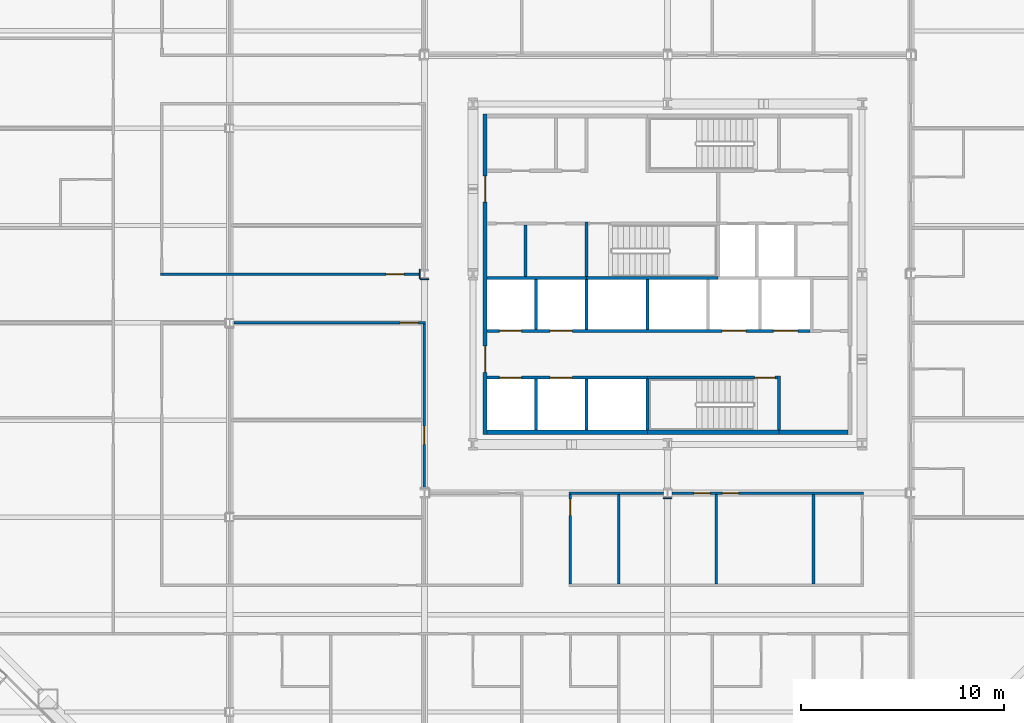
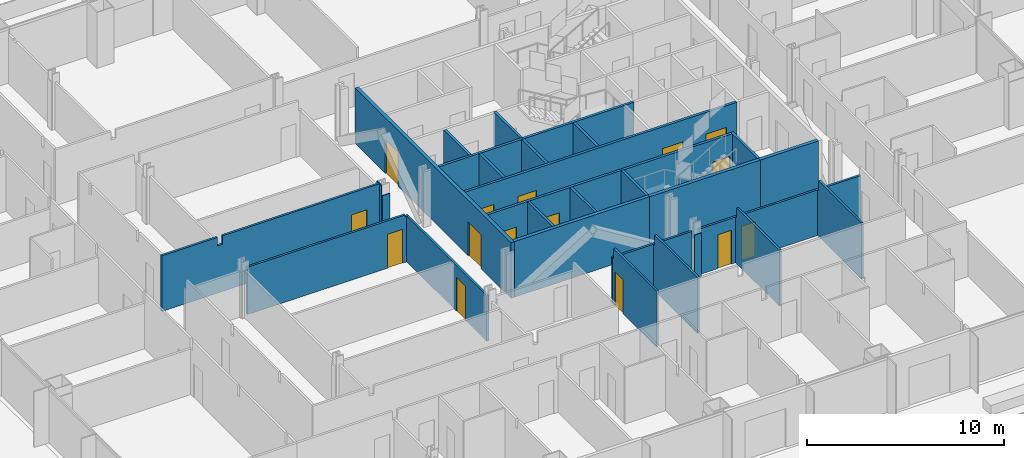
# One storey, part 11 of 18: 30 walls, 15 doors, 15 openings.
"""IFC4 building model written with IfcOpenShell, lengths in metres."""

from ifc_helpers import new_model, si_unit, direction, frame, frame_2d, origin, place, context, subcontext, project, spatial, polyline, rectangle, outline, extrude, material, layer, layer_set, type_object, element, fill, save


model = new_model("IFC4")

# Units and contexts
model_context = context("Model", 3, precision=1e-05, world=origin(), true_north=direction((0.0, 1.0)))
body_context = subcontext(model_context, "Body", "Model", "MODEL_VIEW")
ifc_project = project(units=[si_unit("LENGTHUNIT", "METRE"), si_unit("AREAUNIT", "SQUARE_METRE"), si_unit("VOLUMEUNIT", "CUBIC_METRE"), si_unit("PLANEANGLEUNIT", "RADIAN"), si_unit("MASSUNIT", "GRAM", prefix="KILO")], contexts=[model_context])

# Site, building, storey
site_placement = place(None, origin())
site = spatial("IfcSite", under=ifc_project, at=site_placement, CompositionType="ELEMENT")
building_placement = place(site_placement, origin())
building = spatial("IfcBuilding", under=site, at=building_placement, Name="Cairn Pilgrim Tower", CompositionType="ELEMENT")
storey_placement = place(building_placement, frame((0.0, 0.0, 40.199951171875)))
storey = spatial("IfcBuildingStorey", under=building, at=storey_placement, Name="L07", CompositionType="ELEMENT", Elevation=40.199951171875)

# Walls
ifc_material_1 = material(Name="Concrete C32/40", Category="concrete")
ifc_layer_1 = layer(ifc_material_1, 0.199951171875)
ifc_layer_set_1 = layer_set([ifc_layer_1], Name="CORE OUTER WALL 200 EI 120")
wall_type_1 = type_object("IfcWallType", Name="CORE OUTER WALL 200 EI 120", PredefinedType="SOLIDWALL", material=ifc_layer_set_1)
wall_1_placement = place(storey_placement, frame((-1.699951171875, -5.39990234375, 0.0), z_axis=(0.0, 0.0, 1.0), x_axis=(1.0, 0.0, 0.0)))
element("IfcWall", 1, at=wall_1_placement, inside=storey, type_object=wall_type_1, Name="CW:L07:H01-1", PredefinedType="SOLIDWALL", context=body_context, shape_type="SweptSolid", body=[
    extrude(rectangle(XDim=7.89990234375, YDim=0.199951171875, at=frame_2d((3.949951171875, 0.0))), origin(), (0.0, 0.0, 1.0), 3.449951171875),
])
wall_2_placement = place(storey_placement, frame((12.699951171875, -5.39990234375, 0.0), z_axis=(0.0, 0.0, 1.0), x_axis=(1.0, 0.0, 0.0)))
element("IfcWall", 2, at=wall_2_placement, inside=storey, type_object=wall_type_1, Name="CW:L07:H01-3", PredefinedType="SOLIDWALL", context=body_context, shape_type="SweptSolid", body=[
    extrude(rectangle(XDim=3.400146484375, YDim=0.199951171875, at=frame_2d((1.7001953125, 0.0))), origin(), (0.0, 0.0, 1.0), 3.449951171875),
])

# Wall, openings, doors
wall_3_placement = place(storey_placement, frame((-1.800048828125, -5.5, 0.0), z_axis=(0.0, 0.0, 1.0), x_axis=(0.0, 1.0, 0.0)))
wall_3 = element("IfcWall", 3, at=wall_3_placement, inside=storey, type_object=wall_type_1, Name="CW:L07:V12", PredefinedType="SOLIDWALL", context=body_context, shape_type="SweptSolid", body=[
    extrude(rectangle(XDim=15.800048828125, YDim=0.199951171875, at=frame_2d((7.89990234375, 0.0))), origin(), (0.0, 0.0, 1.0), 3.449951171875),
])
opening_1_placement = place(wall_3_placement, frame((3.050048828125, 0.0, 0.0)))
opening_1 = element("IfcOpeningElement", 4, at=opening_1_placement, cuts=wall_3, Name="Opening CD-W1", PredefinedType="OPENING", context=body_context, shape_type="SweptSolid", body=[
    extrude(rectangle(XDim=1.300048828125, YDim=2.10009765625, at=frame_2d((0.64990234375, 1.050048828125))), frame((0.0, 0.10986328125, 0.0), z_axis=(0.0, -1.0, 0.0), x_axis=(1.0, 0.0, 0.0)), (0.0, 0.0, 1.0), 0.219970703125),
])
opening_2_placement = place(wall_3_placement, frame((11.449951171875, 0.0, 0.0)))
opening_2 = element("IfcOpeningElement", 5, at=opening_2_placement, cuts=wall_3, Name="Opening CD-W2", PredefinedType="OPENING", context=body_context, shape_type="SweptSolid", body=[
    extrude(rectangle(XDim=1.300048828125, YDim=2.10009765625, at=frame_2d((0.64990234375, 1.050048828125))), frame((0.0, 0.10986328125, 0.0), z_axis=(0.0, -1.0, 0.0), x_axis=(1.0, 0.0, 0.0)), (0.0, 0.0, 1.0), 0.219970703125),
])
ifc_material_2 = material(Name="Painted steel", Category="steel")
door_type_1 = type_object("IfcDoorType", Name="CORE LOBBY DOOR 1300x2100", OperationType="DOUBLE_DOOR_SINGLE_SWING", PredefinedType="DOOR", material=ifc_material_2)
door_1_placement = place(opening_1_placement, origin())
door_1 = element("IfcDoor", 6, at=door_1_placement, inside=storey, type_object=door_type_1, Name="CD-W1", OperationType="DOUBLE_DOOR_SINGLE_SWING", OverallHeight=2.10009765625, OverallWidth=1.300048828125, PredefinedType="DOOR", context=body_context, shape_type="SweptSolid", body=[
    extrude(rectangle(XDim=1.300048828125, YDim=2.10009765625, at=frame_2d((0.64990234375, 1.050048828125))), frame((0.0, 0.02490234375, 0.0), z_axis=(0.0, -1.0, 0.0), x_axis=(1.0, 0.0, 0.0)), (0.0, 0.0, 1.0), 0.050048828125),
])
fill(opening_1, door_1)
door_2_placement = place(opening_2_placement, origin())
door_2 = element("IfcDoor", 7, at=door_2_placement, inside=storey, type_object=door_type_1, Name="CD-W2", OperationType="DOUBLE_DOOR_SINGLE_SWING", OverallHeight=2.10009765625, OverallWidth=1.300048828125, PredefinedType="DOOR", context=body_context, shape_type="SweptSolid", body=[
    extrude(rectangle(XDim=1.300048828125, YDim=2.10009765625, at=frame_2d((0.64990234375, 1.050048828125))), frame((0.0, 0.02490234375, 0.0), z_axis=(0.0, -1.0, 0.0), x_axis=(1.0, 0.0, 0.0)), (0.0, 0.0, 1.0), 0.050048828125),
])
fill(opening_2, door_2)

# Wall
ifc_layer_2 = layer(ifc_material_1, 0.14990234375)
ifc_layer_set_2 = layer_set([ifc_layer_2], Name="CORE PARTITION 150 EI 60")
wall_type_2 = type_object("IfcWallType", Name="CORE PARTITION 150 EI 60", PredefinedType="PARTITIONING", material=ifc_layer_set_2)
wall_4_placement = place(storey_placement, frame((0.199951171875, 2.27490234375, 0.0), z_axis=(0.0, 0.0, 1.0), x_axis=(0.0, 1.0, 0.0)))
element("IfcWall", 8, at=wall_4_placement, inside=storey, type_object=wall_type_2, Name="CW:L07:V13", PredefinedType="PARTITIONING", context=body_context, shape_type="SweptSolid", body=[
    extrude(rectangle(XDim=2.550048828125, YDim=0.14990234375, at=frame_2d((1.27490234375, 0.0))), origin(), (0.0, 0.0, 1.0), 3.449951171875),
])

# Wall, openings, doors
ifc_layer_3 = layer(ifc_material_1, 0.14990234375)
ifc_layer_set_3 = layer_set([ifc_layer_3], Name="CORE SHAFT WALL 150 EI 120")
wall_type_3 = type_object("IfcWallType", Name="CORE SHAFT WALL 150 EI 120", PredefinedType="SOLIDWALL", material=ifc_layer_set_3)
wall_5_placement = place(storey_placement, frame((-1.699951171875, -2.699951171875, 0.0), z_axis=(0.0, 0.0, 1.0), x_axis=(1.0, 0.0, 0.0)))
wall_5 = element("IfcWall", 9, at=wall_5_placement, inside=storey, type_object=wall_type_3, Name="CW:L07:H02-1", PredefinedType="SOLIDWALL", context=body_context, shape_type="SweptSolid", body=[
    extrude(rectangle(XDim=7.89990234375, YDim=0.14990234375, at=frame_2d((3.949951171875, 0.0))), origin(), (0.0, 0.0, 1.0), 3.449951171875),
])
opening_3_placement = place(wall_5_placement, frame((0.60009765625, 0.0, 0.0)))
opening_3 = element("IfcOpeningElement", 10, at=opening_3_placement, cuts=wall_5, Name="Opening LD-LR1", PredefinedType="OPENING", context=body_context, shape_type="SweptSolid", body=[
    extrude(rectangle(XDim=1.10009765625, YDim=2.10009765625, at=frame_2d((0.550048828125, 1.050048828125))), frame((0.0, 0.0849609375, 0.0), z_axis=(0.0, -1.0, 0.0), x_axis=(1.0, 0.0, 0.0)), (0.0, 0.0, 1.0), 0.169921875),
])
opening_4_placement = place(wall_5_placement, frame((3.10009765625, 0.0, 0.0)))
opening_4 = element("IfcOpeningElement", 11, at=opening_4_placement, cuts=wall_5, Name="Opening LD-LR2", PredefinedType="OPENING", context=body_context, shape_type="SweptSolid", body=[
    extrude(rectangle(XDim=1.10009765625, YDim=2.10009765625, at=frame_2d((0.550048828125, 1.050048828125))), frame((0.0, 0.0849609375, 0.0), z_axis=(0.0, -1.0, 0.0), x_axis=(1.0, 0.0, 0.0)), (0.0, 0.0, 1.0), 0.169921875),
])
ifc_material_3 = material(Name="Stainless steel", Category="steel")
door_type_2 = type_object("IfcDoorType", Name="LIFT LANDING DOOR 1100x2100", OperationType="DOUBLE_DOOR_SLIDING", PredefinedType="DOOR", material=ifc_material_3)
door_3_placement = place(opening_3_placement, origin())
door_3 = element("IfcDoor", 12, at=door_3_placement, inside=storey, type_object=door_type_2, Name="LANDING DOOR LR1", OperationType="DOUBLE_DOOR_SLIDING", OverallHeight=2.10009765625, OverallWidth=1.10009765625, PredefinedType="DOOR", context=body_context, shape_type="SweptSolid", body=[
    extrude(rectangle(XDim=1.10009765625, YDim=2.10009765625, at=frame_2d((0.550048828125, 1.050048828125))), frame((0.0, 0.02490234375, 0.0), z_axis=(0.0, -1.0, 0.0), x_axis=(1.0, 0.0, 0.0)), (0.0, 0.0, 1.0), 0.050048828125),
])
fill(opening_3, door_3)
door_4_placement = place(opening_4_placement, origin())
door_4 = element("IfcDoor", 13, at=door_4_placement, inside=storey, type_object=door_type_2, Name="LANDING DOOR LR2", OperationType="DOUBLE_DOOR_SLIDING", OverallHeight=2.10009765625, OverallWidth=1.10009765625, PredefinedType="DOOR", context=body_context, shape_type="SweptSolid", body=[
    extrude(rectangle(XDim=1.10009765625, YDim=2.10009765625, at=frame_2d((0.550048828125, 1.050048828125))), frame((0.0, 0.02490234375, 0.0), z_axis=(0.0, -1.0, 0.0), x_axis=(1.0, 0.0, 0.0)), (0.0, 0.0, 1.0), 0.050048828125),
])
fill(opening_4, door_4)

wall_6_placement = place(storey_placement, frame((-1.699951171875, -0.39990234375, 0.0), z_axis=(0.0, 0.0, 1.0), x_axis=(1.0, 0.0, 0.0)))
wall_6 = element("IfcWall", 14, at=wall_6_placement, inside=storey, type_object=wall_type_3, Name="CW:L07:H03", PredefinedType="SOLIDWALL", context=body_context, shape_type="SweptSolid", body=[
    extrude(rectangle(XDim=15.925048828125, YDim=0.14990234375, at=frame_2d((7.96240234375, 0.0))), origin(), (0.0, 0.0, 1.0), 3.449951171875),
])
opening_5_placement = place(wall_6_placement, frame((0.60009765625, 0.0, 0.0)))
opening_5 = element("IfcOpeningElement", 15, at=opening_5_placement, cuts=wall_6, Name="Opening LD-LR3", PredefinedType="OPENING", context=body_context, shape_type="SweptSolid", body=[
    extrude(rectangle(XDim=1.10009765625, YDim=2.10009765625, at=frame_2d((0.550048828125, 1.050048828125))), frame((0.0, 0.0849609375, 0.0), z_axis=(0.0, -1.0, 0.0), x_axis=(1.0, 0.0, 0.0)), (0.0, 0.0, 1.0), 0.169921875),
])
opening_6_placement = place(wall_6_placement, frame((3.10009765625, 0.0, 0.0)))
opening_6 = element("IfcOpeningElement", 16, at=opening_6_placement, cuts=wall_6, Name="Opening LD-LR4", PredefinedType="OPENING", context=body_context, shape_type="SweptSolid", body=[
    extrude(rectangle(XDim=1.10009765625, YDim=2.10009765625, at=frame_2d((0.550048828125, 1.050048828125))), frame((0.0, 0.0849609375, 0.0), z_axis=(0.0, -1.0, 0.0), x_axis=(1.0, 0.0, 0.0)), (0.0, 0.0, 1.0), 0.169921875),
])
opening_7_placement = place(wall_6_placement, frame((11.574951171875, 0.0, 0.0)))
opening_7 = element("IfcOpeningElement", 17, at=opening_7_placement, cuts=wall_6, Name="Opening LD-SV1", PredefinedType="OPENING", context=body_context, shape_type="SweptSolid", body=[
    extrude(rectangle(XDim=1.199951171875, YDim=2.10009765625, at=frame_2d((0.60009765625, 1.050048828125))), frame((0.0, 0.0849609375, 0.0), z_axis=(0.0, -1.0, 0.0), x_axis=(1.0, 0.0, 0.0)), (0.0, 0.0, 1.0), 0.169921875),
])
opening_8_placement = place(wall_6_placement, frame((14.125, 0.0, 0.0)))
opening_8 = element("IfcOpeningElement", 18, at=opening_8_placement, cuts=wall_6, Name="Opening LD-SV2", PredefinedType="OPENING", context=body_context, shape_type="SweptSolid", body=[
    extrude(rectangle(XDim=1.199951171875, YDim=2.10009765625, at=frame_2d((0.60009765625, 1.050048828125))), frame((0.0, 0.0849609375, 0.0), z_axis=(0.0, -1.0, 0.0), x_axis=(1.0, 0.0, 0.0)), (0.0, 0.0, 1.0), 0.169921875),
])
door_5_placement = place(opening_5_placement, origin())
door_5 = element("IfcDoor", 19, at=door_5_placement, inside=storey, type_object=door_type_2, Name="LANDING DOOR LR3", OperationType="DOUBLE_DOOR_SLIDING", OverallHeight=2.10009765625, OverallWidth=1.10009765625, PredefinedType="DOOR", context=body_context, shape_type="SweptSolid", body=[
    extrude(rectangle(XDim=1.10009765625, YDim=2.10009765625, at=frame_2d((0.550048828125, 1.050048828125))), frame((0.0, 0.02490234375, 0.0), z_axis=(0.0, -1.0, 0.0), x_axis=(1.0, 0.0, 0.0)), (0.0, 0.0, 1.0), 0.050048828125),
])
fill(opening_5, door_5)
door_6_placement = place(opening_6_placement, origin())
door_6 = element("IfcDoor", 20, at=door_6_placement, inside=storey, type_object=door_type_2, Name="LANDING DOOR LR4", OperationType="DOUBLE_DOOR_SLIDING", OverallHeight=2.10009765625, OverallWidth=1.10009765625, PredefinedType="DOOR", context=body_context, shape_type="SweptSolid", body=[
    extrude(rectangle(XDim=1.10009765625, YDim=2.10009765625, at=frame_2d((0.550048828125, 1.050048828125))), frame((0.0, 0.02490234375, 0.0), z_axis=(0.0, -1.0, 0.0), x_axis=(1.0, 0.0, 0.0)), (0.0, 0.0, 1.0), 0.050048828125),
])
fill(opening_6, door_6)
door_type_3 = type_object("IfcDoorType", Name="LIFT LANDING DOOR 1200x2100", OperationType="DOUBLE_DOOR_SLIDING", PredefinedType="DOOR", material=ifc_material_3)
door_7_placement = place(opening_7_placement, origin())
door_7 = element("IfcDoor", 21, at=door_7_placement, inside=storey, type_object=door_type_3, Name="LANDING DOOR SV1", OperationType="DOUBLE_DOOR_SLIDING", OverallHeight=2.10009765625, OverallWidth=1.199951171875, PredefinedType="DOOR", context=body_context, shape_type="SweptSolid", body=[
    extrude(rectangle(XDim=1.199951171875, YDim=2.10009765625, at=frame_2d((0.60009765625, 1.050048828125))), frame((0.0, 0.02490234375, 0.0), z_axis=(0.0, -1.0, 0.0), x_axis=(1.0, 0.0, 0.0)), (0.0, 0.0, 1.0), 0.050048828125),
])
fill(opening_7, door_7)
door_8_placement = place(opening_8_placement, origin())
door_8 = element("IfcDoor", 22, at=door_8_placement, inside=storey, type_object=door_type_3, Name="LANDING DOOR SV2", OperationType="DOUBLE_DOOR_SLIDING", OverallHeight=2.10009765625, OverallWidth=1.199951171875, PredefinedType="DOOR", context=body_context, shape_type="SweptSolid", body=[
    extrude(rectangle(XDim=1.199951171875, YDim=2.10009765625, at=frame_2d((0.60009765625, 1.050048828125))), frame((0.0, 0.02490234375, 0.0), z_axis=(0.0, -1.0, 0.0), x_axis=(1.0, 0.0, 0.0)), (0.0, 0.0, 1.0), 0.050048828125),
])
fill(opening_8, door_8)

# Walls
wall_7_placement = place(storey_placement, frame((-1.699951171875, 2.199951171875, 0.0), z_axis=(0.0, 0.0, 1.0), x_axis=(1.0, 0.0, 0.0)))
element("IfcWall", 23, at=wall_7_placement, inside=storey, type_object=wall_type_3, Name="CW:L07:H05-1", PredefinedType="SOLIDWALL", context=body_context, shape_type="SweptSolid", body=[
    extrude(rectangle(XDim=4.89990234375, YDim=0.14990234375, at=frame_2d((2.449951171875, 0.0))), origin(), (0.0, 0.0, 1.0), 3.449951171875),
])
wall_8_placement = place(storey_placement, frame((0.699951171875, -5.300048828125, 0.0), z_axis=(0.0, 0.0, 1.0), x_axis=(0.0, 1.0, 0.0)))
element("IfcWall", 24, at=wall_8_placement, inside=storey, type_object=wall_type_3, Name="CW:L07:V14", PredefinedType="SOLIDWALL", context=body_context, shape_type="SweptSolid", body=[
    extrude(rectangle(XDim=2.525146484375, YDim=0.14990234375, at=frame_2d((1.2626953125, 0.0))), origin(), (0.0, 0.0, 1.0), 3.449951171875),
])
wall_9_placement = place(storey_placement, frame((0.699951171875, -0.324951171875, 0.0), z_axis=(0.0, 0.0, 1.0), x_axis=(0.0, 1.0, 0.0)))
element("IfcWall", 25, at=wall_9_placement, inside=storey, type_object=wall_type_3, Name="CW:L07:V15", PredefinedType="SOLIDWALL", context=body_context, shape_type="SweptSolid", body=[
    extrude(rectangle(XDim=2.449951171875, YDim=0.14990234375, at=frame_2d((1.22509765625, 0.0))), origin(), (0.0, 0.0, 1.0), 3.449951171875),
])
wall_10_placement = place(storey_placement, frame((3.199951171875, -5.300048828125, 0.0), z_axis=(0.0, 0.0, 1.0), x_axis=(0.0, 1.0, 0.0)))
element("IfcWall", 26, at=wall_10_placement, inside=storey, type_object=wall_type_3, Name="CW:L07:V17", PredefinedType="SOLIDWALL", context=body_context, shape_type="SweptSolid", body=[
    extrude(rectangle(XDim=2.525146484375, YDim=0.14990234375, at=frame_2d((1.2626953125, 0.0))), origin(), (0.0, 0.0, 1.0), 3.449951171875),
])
for number, where, z_axis, x_axis, name in (
    (27, (3.199951171875, -0.324951171875, 0.0), (0.0, 0.0, 1.0), (0.0, 1.0, 0.0), "CW:L07:V18"),
    (28, (6.199951171875, -0.324951171875, 0.0), (0.0, 0.0, 1.0), (0.0, 1.0, 0.0), "CW:L07:V22"),
):
    element("IfcWall", number, at=place(storey_placement, frame(where, z_axis=z_axis, x_axis=x_axis)), inside=storey, type_object=wall_type_3, Name=name, PredefinedType="SOLIDWALL", context=body_context, shape_type="SweptSolid", body=[
        extrude(rectangle(XDim=2.449951171875, YDim=0.14990234375, at=frame_2d((1.22509765625, 0.0))), origin(), (0.0, 0.0, 1.0), 3.449951171875),
    ])

# Wall, opening, door
ifc_material_4 = material(Name="Gypsum partition")
ifc_layer_4 = layer(ifc_material_4, 0.125)
ifc_layer_set_4 = layer_set([ifc_layer_4], Name="PARTITION 125 DRYWALL EI 60")
wall_type_4 = type_object("IfcWallType", Name="PARTITION 125 DRYWALL EI 60", PredefinedType="PARTITIONING", material=ifc_layer_set_4)
wall_11_placement = place(storey_placement, frame((2.39990234375, -12.887451171875, 0.0), z_axis=(0.0, 0.0, 1.0), x_axis=(0.0, 1.0, 0.0)))
wall_11 = element("IfcWall", 29, at=wall_11_placement, inside=storey, type_object=wall_type_4, Name="PARTITION W031", PredefinedType="PARTITIONING", context=body_context, shape_type="SweptSolid", body=[
    extrude(outline(polyline([(0.0, 0.0), (4.425048828125, 0.0), (4.425048828125, 2.830078125), (4.33740234375, 2.830078125), (4.33544921875, 3.449951171875), (0.0, 3.449951171875), (0.0, 0.0)])), frame((0.0, 0.0625, 0.0), z_axis=(0.0, -1.0, 0.0), x_axis=(1.0, 0.0, 0.0)), (0.0, 0.0, 1.0), 0.125),
])
opening_9_placement = place(wall_11_placement, frame((3.387451171875, 0.0, 0.0)))
opening_9 = element("IfcOpeningElement", 30, at=opening_9_placement, cuts=wall_11, Name="Opening 0735", PredefinedType="OPENING", context=body_context, shape_type="SweptSolid", body=[
    extrude(rectangle(XDim=0.800048828125, YDim=2.10009765625, at=frame_2d((0.39990234375, 1.050048828125))), frame((0.0, 0.072509765625, 0.0), z_axis=(0.0, -1.0, 0.0), x_axis=(1.0, 0.0, 0.0)), (0.0, 0.0, 1.0), 0.14501953125),
])
ifc_material_5 = material(Name="Steel-faced fire door leaf", Category="steel")
door_type_4 = type_object("IfcDoorType", Name="FIRE DOOR 800x2100 FD30S", OperationType="NOTDEFINED", PredefinedType="DOOR", material=ifc_material_5)
door_9_placement = place(opening_9_placement, frame((0.800048828125, 0.0, 0.0), z_axis=(0.0, 0.0, 1.0), x_axis=(-1.0, 0.0, 0.0)))
door_9 = element("IfcDoor", 31, at=door_9_placement, inside=storey, type_object=door_type_4, Name="DOOR 0735", OperationType="SINGLE_SWING_RIGHT", OverallHeight=2.10009765625, OverallWidth=0.800048828125, PredefinedType="DOOR", context=body_context, shape_type="SweptSolid", body=[
    extrude(rectangle(XDim=0.800048828125, YDim=2.10009765625, at=frame_2d((0.39990234375, 1.050048828125))), frame((0.0, 0.02490234375, 0.0), z_axis=(0.0, -1.0, 0.0), x_axis=(1.0, 0.0, 0.0)), (0.0, 0.0, 1.0), 0.050048828125),
])
fill(opening_9, door_9)

# Walls
for number, where, z_axis, x_axis, name in (
    (32, (4.800048828125, -12.887451171875, 0.0), (0.0, 0.0, 1.0), (0.0, 1.0, 0.0), "PARTITION W032"),
    (33, (9.60009765625, -12.887451171875, 0.0), (0.0, 0.0, 1.0), (0.0, 1.0, 0.0), "PARTITION W033"),
    (34, (14.39990234375, -12.887451171875, 0.0), (0.0, 0.0, 1.0), (0.0, 1.0, 0.0), "PARTITION W034"),
):
    element("IfcWall", number, at=place(storey_placement, frame(where, z_axis=z_axis, x_axis=x_axis)), inside=storey, type_object=wall_type_4, Name=name, PredefinedType="PARTITIONING", context=body_context, shape_type="SweptSolid", body=[
        extrude(outline(polyline([(0.0, 0.0), (4.425048828125, 0.0), (4.425048828125, 2.830078125), (4.33740234375, 2.830078125), (4.33544921875, 3.449951171875), (0.0, 3.449951171875), (0.0, 0.0)])), frame((0.0, 0.0625, 0.0), z_axis=(0.0, -1.0, 0.0), x_axis=(1.0, 0.0, 0.0)), (0.0, 0.0, 1.0), 0.125),
    ])
wall_12_placement = place(storey_placement, frame((2.33740234375, -8.39990234375, 0.0), z_axis=(0.0, 0.0, 1.0), x_axis=(1.0, 0.0, 0.0)))
element("IfcWall", 35, at=wall_12_placement, inside=storey, type_object=wall_type_4, Name="PARTITION W041", PredefinedType="PARTITIONING", context=body_context, shape_type="SweptSolid", body=[
    extrude(rectangle(XDim=4.650634765625, YDim=0.125, at=frame_2d((2.3251953125, 0.0))), origin(), (0.0, 0.0, 1.0), 2.830078125),
])

# Wall, openings, doors
wall_13_placement = place(storey_placement, frame((7.412109375, -8.39990234375, 0.0), z_axis=(0.0, 0.0, 1.0), x_axis=(1.0, 0.0, 0.0)))
wall_13 = element("IfcWall", 36, at=wall_13_placement, inside=storey, type_object=wall_type_4, Name="PARTITION W042", PredefinedType="PARTITIONING", context=body_context, shape_type="SweptSolid", body=[
    extrude(rectangle(XDim=9.450439453125, YDim=0.125, at=frame_2d((4.72509765625, 0.0))), origin(), (0.0, 0.0, 1.0), 2.830078125),
])
opening_10_placement = place(wall_13_placement, frame((1.087890625, 0.0, 0.0)))
opening_10 = element("IfcOpeningElement", 37, at=opening_10_placement, cuts=wall_13, Name="Opening 0736", PredefinedType="OPENING", context=body_context, shape_type="SweptSolid", body=[
    extrude(rectangle(XDim=0.800048828125, YDim=2.10009765625, at=frame_2d((0.39990234375, 1.050048828125))), frame((0.0, 0.072509765625, 0.0), z_axis=(0.0, -1.0, 0.0), x_axis=(1.0, 0.0, 0.0)), (0.0, 0.0, 1.0), 0.14501953125),
])
opening_11_placement = place(wall_13_placement, frame((2.488037109375, 0.0, 0.0)))
opening_11 = element("IfcOpeningElement", 38, at=opening_11_placement, cuts=wall_13, Name="Opening 0737", PredefinedType="OPENING", context=body_context, shape_type="SweptSolid", body=[
    extrude(rectangle(XDim=0.800048828125, YDim=2.10009765625, at=frame_2d((0.39990234375, 1.050048828125))), frame((0.0, 0.072509765625, 0.0), z_axis=(0.0, -1.0, 0.0), x_axis=(1.0, 0.0, 0.0)), (0.0, 0.0, 1.0), 0.14501953125),
])
door_10_placement = place(opening_10_placement, frame((0.800048828125, 0.0, 0.0), z_axis=(0.0, 0.0, 1.0), x_axis=(-1.0, 0.0, 0.0)))
door_10 = element("IfcDoor", 39, at=door_10_placement, inside=storey, type_object=door_type_4, Name="DOOR 0736", OperationType="SINGLE_SWING_LEFT", OverallHeight=2.10009765625, OverallWidth=0.800048828125, PredefinedType="DOOR", context=body_context, shape_type="SweptSolid", body=[
    extrude(rectangle(XDim=0.800048828125, YDim=2.10009765625, at=frame_2d((0.39990234375, 1.050048828125))), frame((0.0, 0.02490234375, 0.0), z_axis=(0.0, -1.0, 0.0), x_axis=(1.0, 0.0, 0.0)), (0.0, 0.0, 1.0), 0.050048828125),
])
fill(opening_10, door_10)
door_11_placement = place(opening_11_placement, frame((0.800048828125, 0.0, 0.0), z_axis=(0.0, 0.0, 1.0), x_axis=(-1.0, 0.0, 0.0)))
door_11 = element("IfcDoor", 40, at=door_11_placement, inside=storey, type_object=door_type_4, Name="DOOR 0737", OperationType="SINGLE_SWING_RIGHT", OverallHeight=2.10009765625, OverallWidth=0.800048828125, PredefinedType="DOOR", context=body_context, shape_type="SweptSolid", body=[
    extrude(rectangle(XDim=0.800048828125, YDim=2.10009765625, at=frame_2d((0.39990234375, 1.050048828125))), frame((0.0, 0.02490234375, 0.0), z_axis=(0.0, -1.0, 0.0), x_axis=(1.0, 0.0, 0.0)), (0.0, 0.0, 1.0), 0.050048828125),
])
fill(opening_11, door_11)

# Wall, opening, door
wall_14_placement = place(storey_placement, frame((-4.800048828125, -8.1630859375, 0.0), z_axis=(0.0, 0.0, 1.0), x_axis=(0.0, 1.0, 0.0)))
wall_14 = element("IfcWall", 41, at=wall_14_placement, inside=storey, type_object=wall_type_4, Name="PARTITION W043", PredefinedType="PARTITIONING", context=body_context, shape_type="SweptSolid", body=[
    extrude(rectangle(XDim=8.1005859375, YDim=0.125, at=frame_2d((4.05029296875, 0.0))), origin(), (0.0, 0.0, 1.0), 2.830078125),
])
opening_12_placement = place(wall_14_placement, frame((2.1630859375, 0.0, 0.0)))
opening_12 = element("IfcOpeningElement", 42, at=opening_12_placement, cuts=wall_14, Name="Opening 0728", PredefinedType="OPENING", context=body_context, shape_type="SweptSolid", body=[
    extrude(rectangle(XDim=0.89990234375, YDim=2.10009765625, at=frame_2d((0.449951171875, 1.050048828125))), frame((0.0, 0.072509765625, 0.0), z_axis=(0.0, -1.0, 0.0), x_axis=(1.0, 0.0, 0.0)), (0.0, 0.0, 1.0), 0.14501953125),
])
door_type_5 = type_object("IfcDoorType", Name="FIRE DOOR 900x2100 FD30S", OperationType="NOTDEFINED", PredefinedType="DOOR", material=ifc_material_5)
door_12_placement = place(opening_12_placement, origin())
door_12 = element("IfcDoor", 43, at=door_12_placement, inside=storey, type_object=door_type_5, Name="DOOR 0728", OperationType="SINGLE_SWING_LEFT", OverallHeight=2.10009765625, OverallWidth=0.89990234375, PredefinedType="DOOR", context=body_context, shape_type="SweptSolid", body=[
    extrude(rectangle(XDim=0.89990234375, YDim=2.10009765625, at=frame_2d((0.449951171875, 1.050048828125))), frame((0.0, 0.02490234375, 0.0), z_axis=(0.0, -1.0, 0.0), x_axis=(1.0, 0.0, 0.0)), (0.0, 0.0, 1.0), 0.050048828125),
])
fill(opening_12, door_12)

wall_15_placement = place(storey_placement, frame((-14.195556640625, 0.0, 0.0), z_axis=(0.0, 0.0, 1.0), x_axis=(1.0, 0.0, 0.0)))
wall_15 = element("IfcWall", 44, at=wall_15_placement, inside=storey, type_object=wall_type_4, Name="PARTITION W055", PredefinedType="PARTITIONING", context=body_context, shape_type="SweptSolid", body=[
    extrude(outline(polyline([(0.0, 0.0), (9.4580078125, 0.0), (9.4580078125, 2.830078125), (9.24560546875, 2.830078125), (9.243408203125, 2.929931640625), (0.0, 2.929931640625), (0.0, 0.0)])), frame((0.0, 0.0625, 0.0), z_axis=(0.0, -1.0, 0.0), x_axis=(1.0, 0.0, 0.0)), (0.0, 0.0, 1.0), 0.125),
])
opening_13_placement = place(wall_15_placement, frame((8.195556640625, 0.0, 0.0)))
opening_13 = element("IfcOpeningElement", 45, at=opening_13_placement, cuts=wall_15, Name="Opening 0729", PredefinedType="OPENING", context=body_context, shape_type="SweptSolid", body=[
    extrude(rectangle(XDim=0.89990234375, YDim=2.10009765625, at=frame_2d((0.449951171875, 1.050048828125))), frame((0.0, 0.072509765625, 0.0), z_axis=(0.0, -1.0, 0.0), x_axis=(1.0, 0.0, 0.0)), (0.0, 0.0, 1.0), 0.14501953125),
])
door_13_placement = place(opening_13_placement, frame((0.89990234375, 0.0, 0.0), z_axis=(0.0, 0.0, 1.0), x_axis=(-1.0, 0.0, 0.0)))
door_13 = element("IfcDoor", 46, at=door_13_placement, inside=storey, type_object=door_type_5, Name="DOOR 0729", OperationType="SINGLE_SWING_RIGHT", OverallHeight=2.10009765625, OverallWidth=0.89990234375, PredefinedType="DOOR", context=body_context, shape_type="SweptSolid", body=[
    extrude(rectangle(XDim=0.89990234375, YDim=2.10009765625, at=frame_2d((0.449951171875, 1.050048828125))), frame((0.0, 0.02490234375, 0.0), z_axis=(0.0, -1.0, 0.0), x_axis=(1.0, 0.0, 0.0)), (0.0, 0.0, 1.0), 0.050048828125),
])
fill(opening_13, door_13)

wall_16_placement = place(storey_placement, frame((-17.8125, 2.39990234375, 0.0), z_axis=(0.0, 0.0, 1.0), x_axis=(1.0, 0.0, 0.0)))
wall_16 = element("IfcWall", 47, at=wall_16_placement, inside=storey, type_object=wall_type_4, Name="PARTITION W059", PredefinedType="PARTITIONING", context=body_context, shape_type="SweptSolid", body=[
    extrude(outline(polyline([(0.0, 0.0), (12.800537109375, 0.0), (12.800537109375, 3.449951171875), (3.5625, 3.449951171875), (3.560546875, 2.929931640625), (3.262451171875, 2.929931640625), (3.260498046875, 3.449951171875), (0.0, 3.449951171875), (0.0, 0.0)])), frame((0.0, 0.0625, 0.0), z_axis=(0.0, -1.0, 0.0), x_axis=(1.0, 0.0, 0.0)), (0.0, 0.0, 1.0), 0.125),
])
opening_14_placement = place(wall_16_placement, frame((11.112548828125, 0.0, 0.0)))
opening_14 = element("IfcOpeningElement", 48, at=opening_14_placement, cuts=wall_16, Name="Opening 0730", PredefinedType="OPENING", context=body_context, shape_type="SweptSolid", body=[
    extrude(rectangle(XDim=0.89990234375, YDim=2.10009765625, at=frame_2d((0.449951171875, 1.050048828125))), frame((0.0, 0.072509765625, 0.0), z_axis=(0.0, -1.0, 0.0), x_axis=(1.0, 0.0, 0.0)), (0.0, 0.0, 1.0), 0.14501953125),
])
door_14_placement = place(opening_14_placement, origin())
door_14 = element("IfcDoor", 49, at=door_14_placement, inside=storey, type_object=door_type_5, Name="DOOR 0730", OperationType="SINGLE_SWING_LEFT", OverallHeight=2.10009765625, OverallWidth=0.89990234375, PredefinedType="DOOR", context=body_context, shape_type="SweptSolid", body=[
    extrude(rectangle(XDim=0.89990234375, YDim=2.10009765625, at=frame_2d((0.449951171875, 1.050048828125))), frame((0.0, 0.02490234375, 0.0), z_axis=(0.0, -1.0, 0.0), x_axis=(1.0, 0.0, 0.0)), (0.0, 0.0, 1.0), 0.050048828125),
])
fill(opening_14, door_14)

# Walls
ifc_layer_5 = layer(ifc_material_4, 0.050048828125)
ifc_layer_set_5 = layer_set([ifc_layer_5], Name="PARTITION 50 DRYWALL EI 60")
wall_type_5 = type_object("IfcWallType", Name="PARTITION 50 DRYWALL EI 60", PredefinedType="PARTITIONING", material=ifc_layer_set_5)
wall_17_placement = place(storey_placement, frame((6.988037109375, -8.662109375, 0.0), z_axis=(0.0, 0.0, 1.0), x_axis=(1.0, 0.0, 0.0)))
element("IfcWall", 50, at=wall_17_placement, inside=storey, type_object=wall_type_5, Name="COLUMN CASING WC17", PredefinedType="PARTITIONING", context=body_context, shape_type="SweptSolid", body=[
    extrude(rectangle(XDim=0.424072265625, YDim=0.050048828125, at=frame_2d((0.2119140625, 0.0))), origin(), (0.0, 0.0, 1.0), 2.72998046875),
])
wall_18_placement = place(storey_placement, frame((-5.011962890625, 2.137939453125, 0.0), z_axis=(0.0, 0.0, 1.0), x_axis=(1.0, 0.0, 0.0)))
element("IfcWall", 51, at=wall_18_placement, inside=storey, type_object=wall_type_5, Name="COLUMN CASING WC24", PredefinedType="PARTITIONING", context=body_context, shape_type="SweptSolid", body=[
    extrude(rectangle(XDim=0.424072265625, YDim=0.050048828125, at=frame_2d((0.2119140625, 0.0))), origin(), (0.0, 0.0, 1.0), 2.830078125),
])
wall_19_placement = place(storey_placement, frame((-5.037109375, 2.1630859375, 0.0), z_axis=(0.0, 0.0, 1.0), x_axis=(0.0, 1.0, 0.0)))
element("IfcWall", 52, at=wall_19_placement, inside=storey, type_object=wall_type_5, Name="COLUMN CASING WC26", PredefinedType="PARTITIONING", context=body_context, shape_type="SweptSolid", body=[
    extrude(rectangle(XDim=0.473876953125, YDim=0.050048828125, at=frame_2d((0.23681640625, 0.0))), origin(), (0.0, 0.0, 1.0), 3.449951171875),
])

# Wall, opening, door
ifc_material_6 = material(Name="Concrete C35/45", Category="concrete")
ifc_layer_6 = layer(ifc_material_6, 0.14990234375)
ifc_layer_set_6 = layer_set([ifc_layer_6], Name="STAIR SHAFT WALL 150 EI 120")
wall_type_6 = type_object("IfcWallType", Name="STAIR SHAFT WALL 150 EI 120", PredefinedType="SOLIDWALL", material=ifc_layer_set_6)
wall_20_placement = place(storey_placement, frame((6.199951171875, -2.699951171875, 0.0), z_axis=(0.0, 0.0, 1.0), x_axis=(1.0, 0.0, 0.0)))
wall_20 = element("IfcWall", 53, at=wall_20_placement, inside=storey, type_object=wall_type_6, Name="CW:L07:H02-2", PredefinedType="SOLIDWALL", context=body_context, shape_type="SweptSolid", body=[
    extrude(rectangle(XDim=6.425048828125, YDim=0.14990234375, at=frame_2d((3.21240234375, 0.0))), origin(), (0.0, 0.0, 1.0), 3.449951171875),
])
opening_15_placement = place(wall_20_placement, frame((5.300048828125, 0.0, 0.0)))
opening_15 = element("IfcOpeningElement", 54, at=opening_15_placement, cuts=wall_20, Name="Opening SD-A", PredefinedType="OPENING", context=body_context, shape_type="SweptSolid", body=[
    extrude(rectangle(XDim=1.0, YDim=2.10009765625, at=frame_2d((0.5, 1.050048828125))), frame((0.0, 0.0849609375, 0.0), z_axis=(0.0, -1.0, 0.0), x_axis=(1.0, 0.0, 0.0)), (0.0, 0.0, 1.0), 0.169921875),
])
door_type_6 = type_object("IfcDoorType", Name="STAIR DOOR FD60S 1000x2100", OperationType="SINGLE_SWING_LEFT", PredefinedType="DOOR", material=ifc_material_2)
door_15_placement = place(opening_15_placement, origin())
door_15 = element("IfcDoor", 55, at=door_15_placement, inside=storey, type_object=door_type_6, Name="SD-A", OperationType="SINGLE_SWING_LEFT", OverallHeight=2.10009765625, OverallWidth=1.0, PredefinedType="DOOR", context=body_context, shape_type="SweptSolid", body=[
    extrude(rectangle(XDim=1.0, YDim=2.10009765625, at=frame_2d((0.5, 1.050048828125))), frame((0.0, 0.02490234375, 0.0), z_axis=(0.0, -1.0, 0.0), x_axis=(1.0, 0.0, 0.0)), (0.0, 0.0, 1.0), 0.050048828125),
])
fill(opening_15, door_15)

# Walls
wall_21_placement = place(storey_placement, frame((3.199951171875, 2.199951171875, 0.0), z_axis=(0.0, 0.0, 1.0), x_axis=(1.0, 0.0, 0.0)))
element("IfcWall", 56, at=wall_21_placement, inside=storey, type_object=wall_type_6, Name="CW:L07:H05-2", PredefinedType="SOLIDWALL", context=body_context, shape_type="SweptSolid", body=[
    extrude(rectangle(XDim=6.5, YDim=0.14990234375, at=frame_2d((3.25, 0.0))), origin(), (0.0, 0.0, 1.0), 3.449951171875),
])
wall_22_placement = place(storey_placement, frame((3.199951171875, 2.27490234375, 0.0), z_axis=(0.0, 0.0, 1.0), x_axis=(0.0, 1.0, 0.0)))
element("IfcWall", 57, at=wall_22_placement, inside=storey, type_object=wall_type_6, Name="CW:L07:V19", PredefinedType="SOLIDWALL", context=body_context, shape_type="SweptSolid", body=[
    extrude(rectangle(XDim=2.7001953125, YDim=0.14990234375, at=frame_2d((1.35009765625, 0.0))), origin(), (0.0, 0.0, 1.0), 3.449951171875),
])
wall_23_placement = place(storey_placement, frame((6.199951171875, -5.300048828125, 0.0), z_axis=(0.0, 0.0, 1.0), x_axis=(0.0, 1.0, 0.0)))
element("IfcWall", 58, at=wall_23_placement, inside=storey, type_object=wall_type_6, Name="CW:L07:V21", PredefinedType="SOLIDWALL", context=body_context, shape_type="SweptSolid", body=[
    extrude(rectangle(XDim=2.525146484375, YDim=0.14990234375, at=frame_2d((1.2626953125, 0.0))), origin(), (0.0, 0.0, 1.0), 3.449951171875),
])
wall_24_placement = place(storey_placement, frame((12.699951171875, -5.300048828125, 0.0), z_axis=(0.0, 0.0, 1.0), x_axis=(0.0, 1.0, 0.0)))
element("IfcWall", 59, at=wall_24_placement, inside=storey, type_object=wall_type_6, Name="CW:L07:V29", PredefinedType="SOLIDWALL", context=body_context, shape_type="SweptSolid", body=[
    extrude(rectangle(XDim=2.675048828125, YDim=0.14990234375, at=frame_2d((1.33740234375, 0.0))), origin(), (0.0, 0.0, 1.0), 3.449951171875),
])
ifc_layer_7 = layer(ifc_material_6, 0.199951171875)
ifc_layer_set_7 = layer_set([ifc_layer_7], Name="STAIR SHAFT WALL 200 EI 120")
wall_type_7 = type_object("IfcWallType", Name="STAIR SHAFT WALL 200 EI 120", PredefinedType="SOLIDWALL", material=ifc_layer_set_7)
wall_25_placement = place(storey_placement, frame((6.199951171875, -5.39990234375, 0.0), z_axis=(0.0, 0.0, 1.0), x_axis=(1.0, 0.0, 0.0)))
element("IfcWall", 60, at=wall_25_placement, inside=storey, type_object=wall_type_7, Name="CW:L07:H01-2", PredefinedType="SOLIDWALL", context=body_context, shape_type="SweptSolid", body=[
    extrude(rectangle(XDim=6.5, YDim=0.199951171875, at=frame_2d((3.25, 0.0))), origin(), (0.0, 0.0, 1.0), 3.449951171875),
])

save(model, "model.ifc")
